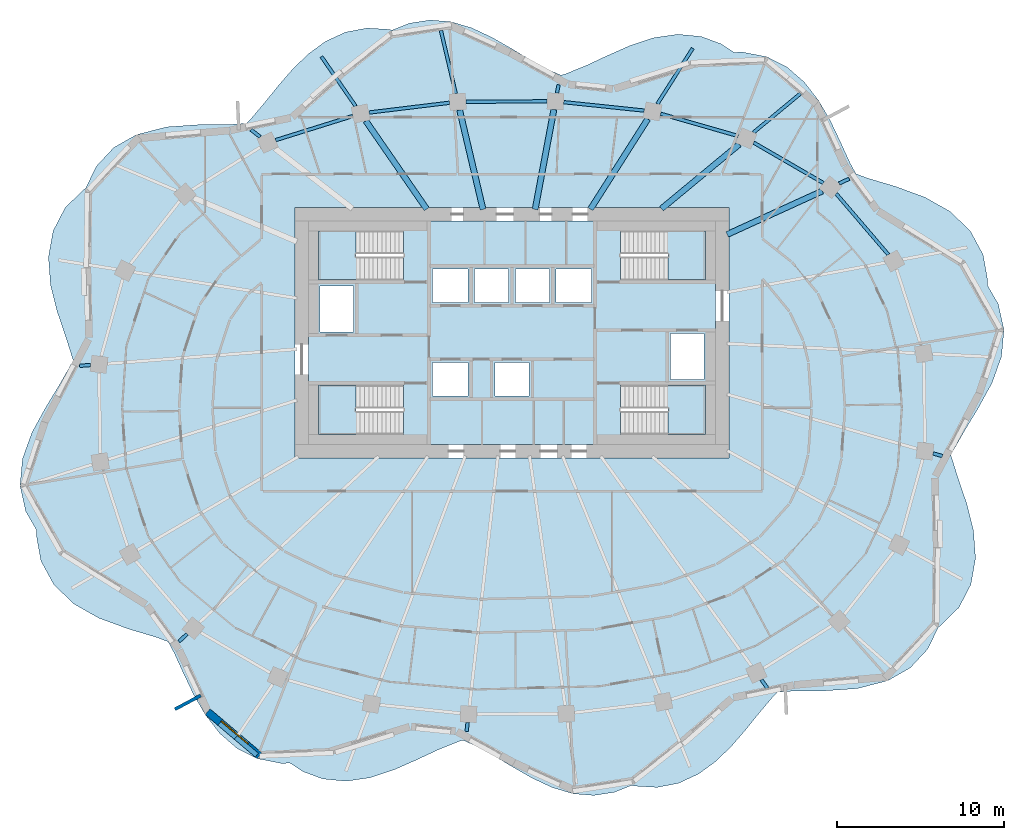
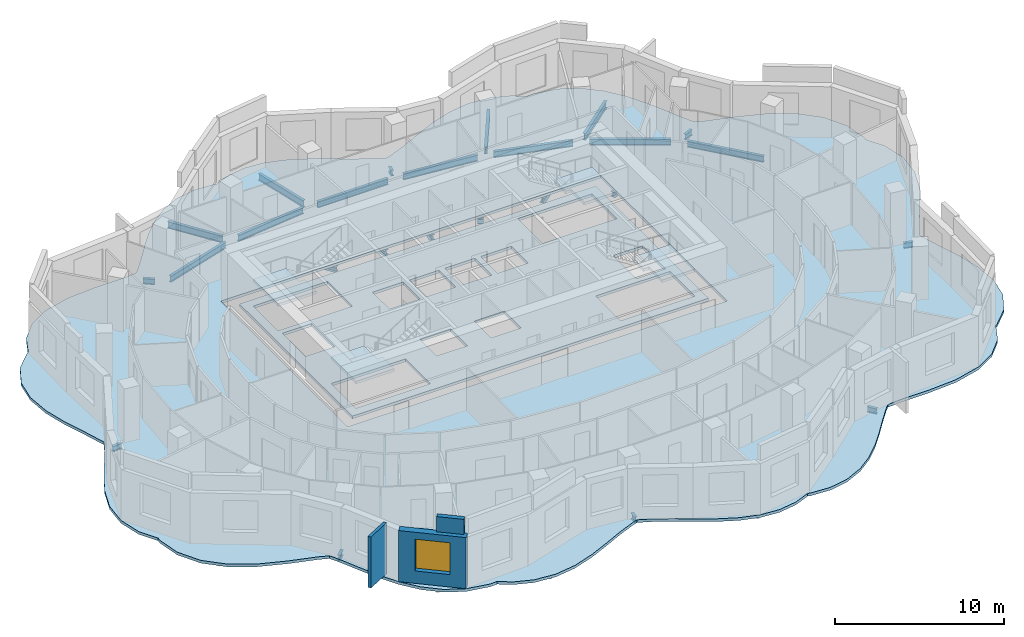
# One storey, part 2 of 12: 25 beams, 6 slabs, 3 walls, 1 window, 1 opening, 4 elements without a shape of their own.
"""IFC4 building model written with IfcOpenShell, lengths in metres."""

import ifcopenshell
import ifcopenshell.guid

model = None  # the IFC model being written
_history = None  # IfcOwnerHistory: only IFC2X3 demands one
_inside = {}  # id of a spatial element -> (the spatial element, [elements in it])
_under = {}  # id of a project, library or spatial element -> (it, [spatial elements below it])
_declared = {}  # id of a project -> (the project, [libraries it declares])
_typed = {}  # id of a type object -> (the type object, [elements of that type])
_made_of = {}  # id of a material, layer set ... -> (it, [elements and type objects made of it])


def new_model(schema):
    """Start an empty IFC model of exactly this schema.

    Asked for "IFC4X3", IfcOpenShell would pick the latest addendum, in which some entities
    have other attributes; the version numbers below select the first issue.
    IFC2X3 requires an IfcOwnerHistory on every rooted entity: one is made here for all.
    """
    global model, _history
    if schema == "IFC4X3":
        model = ifcopenshell.file(schema_version=(4, 3, 0, 0))
    else:
        model = ifcopenshell.file(schema=schema)
    _inside.clear()
    _under.clear()
    _declared.clear()
    _typed.clear()
    _made_of.clear()
    _history = None
    if model.schema == "IFC2X3":
        org = make("IfcOrganization", Name="unknown")
        user = make(
            "IfcPersonAndOrganization",
            ThePerson=make("IfcPerson", FamilyName="unknown"),
            TheOrganization=org,
        )
        app = make(
            "IfcApplication",
            ApplicationDeveloper=org,
            Version="unknown",
            ApplicationFullName="unknown",
            ApplicationIdentifier="unknown",
        )
        _history = make(
            "IfcOwnerHistory",
            OwningUser=user,
            OwningApplication=app,
            ChangeAction="ADDED",
            CreationDate=0,
        )
    return model


def make(cls, **values):
    """One entity of the class cls with the attributes given. An attribute that is None is left unset."""
    return model.create_entity(
        cls, **{name: value for name, value in values.items() if value is not None}
    )


def rooted(cls, **values):
    """An entity with a GlobalId (a new one), such as an element, a storey or a relation."""
    return make(cls, GlobalId=ifcopenshell.guid.new(), OwnerHistory=_history, **values)


def si_unit(unit_type, name, prefix=None):
    """IfcSIUnit, for example si_unit("LENGTHUNIT", "METRE", prefix="MILLI")."""
    return make("IfcSIUnit", UnitType=unit_type, Prefix=prefix, Name=name)


def assignment(units):
    """IfcUnitAssignment: the units of a project."""
    return None if units is None else make("IfcUnitAssignment", Units=units)


def point(xyz):
    """IfcCartesianPoint."""
    return None if xyz is None else make("IfcCartesianPoint", Coordinates=xyz)


def direction(xyz):
    """IfcDirection."""
    return None if xyz is None else make("IfcDirection", DirectionRatios=xyz)


def frame(location, z_axis=None, x_axis=None):
    """IfcAxis2Placement3D, a coordinate frame: its origin and axes. An axis left out is left unset."""
    return make(
        "IfcAxis2Placement3D",
        Location=point(location),
        Axis=direction(z_axis),
        RefDirection=direction(x_axis),
    )


def frame_2d(location, x_axis=None):
    """IfcAxis2Placement2D, a coordinate frame in the plane: its origin and x axis."""
    return make(
        "IfcAxis2Placement2D", Location=point(location), RefDirection=direction(x_axis)
    )


def origin():
    """The frame at (0, 0, 0) with its axes left unset."""
    return frame((0.0, 0.0, 0.0))


def origin_2d():
    """The frame at (0, 0) in the plane with its x axis left unset."""
    return frame_2d((0.0, 0.0))


def place(relative_to, where):
    """IfcLocalPlacement: puts the frame where relative to a parent placement (None: the world)."""
    return make(
        "IfcLocalPlacement", PlacementRelTo=relative_to, RelativePlacement=where
    )


def context(
    kind, dimensions, precision=None, world=None, true_north=None, identifier=None
):
    """IfcGeometricRepresentationContext, for example the 3D "Model" context."""
    return make(
        "IfcGeometricRepresentationContext",
        ContextIdentifier=identifier,
        ContextType=kind,
        CoordinateSpaceDimension=dimensions,
        Precision=precision,
        WorldCoordinateSystem=world,
        TrueNorth=true_north,
    )


def subcontext(parent, identifier, kind, view, scale=None):
    """IfcGeometricRepresentationSubContext, for example "Body" below "Model"."""
    return make(
        "IfcGeometricRepresentationSubContext",
        ContextIdentifier=identifier,
        ContextType=kind,
        ParentContext=parent,
        TargetScale=scale,
        TargetView=view,
    )


def project(units=None, contexts=None):
    """IfcProject with its units and contexts."""
    return rooted(
        "IfcProject",
        Name="project",
        RepresentationContexts=contexts,
        UnitsInContext=assignment(units),
    )


def spatial(cls, under=None, at=None, **own):
    """A site, building, storey or space (cls), placed at a placement, below another one or the project."""
    s = rooted(cls, ObjectPlacement=at, **own)
    if under is not None:
        _under.setdefault(under.id(), (under, []))[1].append(s)
    return s


def polyline(points):
    """IfcPolyline through the points."""
    return make("IfcPolyline", Points=[point(p) for p in points])


def profile(cls, at=None, kind="AREA", **sizes):
    """A parametric profile (cls). Its sizes go by their IFC names, for example OverallWidth=200.0."""
    return make(cls, ProfileType=kind, Position=at, **sizes)


def rectangle(**sizes):
    """IfcRectangleProfileDef."""
    return profile("IfcRectangleProfileDef", **sizes)


def i_section(**sizes):
    """IfcIShapeProfileDef."""
    return profile("IfcIShapeProfileDef", **sizes)


def outline(outer, holes=None, kind="AREA"):
    """IfcArbitraryClosedProfileDef: a profile drawn as a closed curve; with holes, ...WithVoids."""
    if holes is None:
        return make("IfcArbitraryClosedProfileDef", ProfileType=kind, OuterCurve=outer)
    return make(
        "IfcArbitraryProfileDefWithVoids",
        ProfileType=kind,
        OuterCurve=outer,
        InnerCurves=holes,
    )


def extrude(swept, where, along, depth):
    """IfcExtrudedAreaSolid: the profile swept, set in the frame where, extruded along a direction by depth."""
    return make(
        "IfcExtrudedAreaSolid",
        SweptArea=swept,
        Position=where,
        ExtrudedDirection=direction(along),
        Depth=depth,
    )


def shape(context_of_items, identifier, shape_type, items):
    """IfcShapeRepresentation: the items that make up one representation, for example the "Body"."""
    return make(
        "IfcShapeRepresentation",
        ContextOfItems=context_of_items,
        RepresentationIdentifier=identifier,
        RepresentationType=shape_type,
        Items=items,
    )


def material(Name=None, Category=None):
    """IfcMaterial."""
    return make("IfcMaterial", Name=Name, Category=Category)


def layer(
    of_material, thickness, ventilated=None, Name=None, Category=None, Priority=None
):
    """IfcMaterialLayer: one layer of a wall or slab, of a material (None: an air gap)."""
    return make(
        "IfcMaterialLayer",
        Material=of_material,
        LayerThickness=thickness,
        IsVentilated=ventilated,
        Name=Name,
        Category=Category,
        Priority=Priority,
    )


def layer_set(layers, Name=None):
    """IfcMaterialLayerSet."""
    return make("IfcMaterialLayerSet", MaterialLayers=layers, LayerSetName=Name)


def material_profile(
    of_material, cross_section, Name=None, Category=None, Priority=None
):
    """IfcMaterialProfile: a cross section and its material."""
    return make(
        "IfcMaterialProfile",
        Name=Name,
        Material=of_material,
        Profile=cross_section,
        Priority=Priority,
        Category=Category,
    )


def profile_set(profiles, Name=None, composite=None):
    """IfcMaterialProfileSet."""
    return make(
        "IfcMaterialProfileSet",
        Name=Name,
        MaterialProfiles=profiles,
        CompositeProfile=composite,
    )


def made_of(thing, what):
    """Note that an element or type object is made of a material, layer set ...; save() writes the relation."""
    if what is not None:
        _made_of.setdefault(what.id(), (what, []))[1].append(thing)
    return thing


def type_object(cls, material=None, **own):
    """A type object (cls), such as IfcWallType, which elements share."""
    return made_of(rooted(cls, **own), material)


def element(
    cls,
    number,
    at=None,
    inside=None,
    cuts=None,
    type_object=None,
    material=None,
    context=None,
    identifier="Body",
    shape_type=None,
    held_by="IfcProductDefinitionShape",
    body=None,
    shapes=None,
    **own,
):
    """One element of the class cls, such as IfcWall. Its Tag is "e" and its number.

    at: its placement. inside: the storey or other place that contains it. cuts: it is an
    opening in that element (IfcRelVoidsElement). A single representation is given by context,
    identifier, shape_type and body (its items); several are given by shapes. held_by: the class
    of the entity that holds the representations. save() writes the other relations.
    """
    e = rooted(cls, Tag="e%d" % number, ObjectPlacement=at, **own)
    if body is not None:
        shapes = [shape(context, identifier, shape_type, body)]
    if shapes is not None:
        e.Representation = make(held_by, Representations=shapes)
    if inside is not None:
        _inside.setdefault(inside.id(), (inside, []))[1].append(e)
    if cuts is not None:
        rooted(
            "IfcRelVoidsElement", RelatingBuildingElement=cuts, RelatedOpeningElement=e
        )
    if type_object is not None:
        _typed.setdefault(type_object.id(), (type_object, []))[1].append(e)
    return made_of(e, material)


def fill(opening, filler):
    """IfcRelFillsElement: the door or window that sits in an opening."""
    return rooted(
        "IfcRelFillsElement",
        RelatingOpeningElement=opening,
        RelatedBuildingElement=filler,
    )


def aggregate(whole, parts):
    """IfcRelAggregates: a whole, such as a stair, and the parts it consists of."""
    return rooted("IfcRelAggregates", RelatingObject=whole, RelatedObjects=parts)


def save(model, path):
    """Write the relations noted so far, then the file.

    IfcRelAggregates (storeys below a building ...), IfcRelContainedInSpatialStructure (elements
    in a storey), IfcRelDefinesByType, IfcRelAssociatesMaterial and IfcRelDeclares: one each for
    every whole, place, type object, material and project.
    """
    for whole, parts in _under.values():
        aggregate(whole, parts)
    for where, things in _inside.values():
        rooted(
            "IfcRelContainedInSpatialStructure",
            RelatedElements=things,
            RelatingStructure=where,
        )
    for kind, things in _typed.values():
        rooted("IfcRelDefinesByType", RelatedObjects=things, RelatingType=kind)
    for what, things in _made_of.values():
        rooted("IfcRelAssociatesMaterial", RelatedObjects=things, RelatingMaterial=what)
    for by, libraries in _declared.values():
        rooted("IfcRelDeclares", RelatingContext=by, RelatedDefinitions=libraries)
    model.write(path)


model = new_model("IFC4")

# Units and contexts
model_context = context("Model", 3, precision=1e-05, world=origin(), true_north=direction((0.0, 1.0)))
body_context = subcontext(model_context, "Body", "Model", "MODEL_VIEW")
ifc_project = project(units=[si_unit("LENGTHUNIT", "METRE"), si_unit("AREAUNIT", "SQUARE_METRE"), si_unit("VOLUMEUNIT", "CUBIC_METRE"), si_unit("PLANEANGLEUNIT", "RADIAN"), si_unit("MASSUNIT", "GRAM", prefix="KILO")], contexts=[model_context])

# Site, building, storey
site_placement = place(None, origin())
site = spatial("IfcSite", under=ifc_project, at=site_placement, CompositionType="ELEMENT")
building_placement = place(site_placement, origin())
building = spatial("IfcBuilding", under=site, at=building_placement, Name="Rubra Terraces Tower", CompositionType="ELEMENT")
storey_placement = place(building_placement, frame((0.0, 0.0, 201.300048828125)))
storey = spatial("IfcBuildingStorey", under=building, at=storey_placement, Name="L49", CompositionType="ELEMENT", Elevation=201.300048828125)

# Beams
ifc_material_1 = material(Name="Steel Q355B", Category="steel")
ifc_material_profile_1 = material_profile(ifc_material_1, i_section(OverallWidth=0.198974609375, OverallDepth=0.49609375, WebThickness=0.009033203125, FlangeThickness=0.013916015625, at=origin_2d()), Name="HN 496x199x9x14")
ifc_profile_set_1 = profile_set([ifc_material_profile_1], Name="Steel Q355B")
beam_type_1 = type_object("IfcBeamType", Name="CANTILEVER BEAM HN 496x199x9x14", PredefinedType="BEAM", material=ifc_profile_set_1)
beam_1_placement = place(storey_placement, frame((14.47509765625, 16.4951171875, -0.447998046875), z_axis=(0.76992389312, 0.638135721303, 0.0), x_axis=(-0.638135721303, 0.76992389312, 0.0)))
element("IfcBeam", 1, at=beam_1_placement, inside=storey, type_object=beam_type_1, Name="beam-L49-cant-04", PredefinedType="BEAM", context=body_context, shape_type="SweptSolid", body=[
    extrude(i_section(OverallWidth=0.198974609375, OverallDepth=0.49609375, WebThickness=0.009033203125, FlangeThickness=0.013916015625, at=origin_2d()), origin(), (0.0, 0.0, 1.0), 3.6494140625),
])
beam_2_placement = place(storey_placement, frame((8.7099609375, 18.201904296875, -0.447998046875), z_axis=(0.536427545347, 0.843946377795, 0.0), x_axis=(-0.843946377795, 0.536427545347, 0.0)))
element("IfcBeam", 2, at=beam_2_placement, inside=storey, type_object=beam_type_1, Name="beam-L49-cant-05", PredefinedType="BEAM", context=body_context, shape_type="SweptSolid", body=[
    extrude(i_section(OverallWidth=0.198974609375, OverallDepth=0.49609375, WebThickness=0.009033203125, FlangeThickness=0.013916015625, at=origin_2d()), origin(), (0.0, 0.0, 1.0), 3.950439453125),
])
beam_3_placement = place(storey_placement, frame((-3.3701171875, 18.823974609375, -0.447998046875), z_axis=(-0.228972734486, 0.973432836338, 0.0), x_axis=(-0.973432836338, -0.228972734486, 0.0)))
element("IfcBeam", 3, at=beam_3_placement, inside=storey, type_object=beam_type_1, Name="beam-L49-cant-07", PredefinedType="BEAM", context=body_context, shape_type="SweptSolid", body=[
    extrude(i_section(OverallWidth=0.198974609375, OverallDepth=0.49609375, WebThickness=0.009033203125, FlangeThickness=0.013916015625, at=origin_2d()), origin(), (0.0, 0.0, 1.0), 3.882080078125),
])
beam_4_placement = place(storey_placement, frame((-9.3701171875, 18.070068359375, -0.447998046875), z_axis=(-0.56822135663, 0.822875743882, 0.0), x_axis=(-0.822875743882, -0.56822135663, 0.0)))
element("IfcBeam", 4, at=beam_4_placement, inside=storey, type_object=beam_type_1, Name="beam-L49-cant-08", PredefinedType="BEAM", context=body_context, shape_type="SweptSolid", body=[
    extrude(i_section(OverallWidth=0.198974609375, OverallDepth=0.49609375, WebThickness=0.009033203125, FlangeThickness=0.013916015625, at=origin_2d()), origin(), (0.0, 0.0, 1.0), 3.59716796875),
])
ifc_material_profile_2 = material_profile(ifc_material_1, i_section(OverallWidth=0.199951171875, OverallDepth=0.39990234375, WebThickness=0.008056640625, FlangeThickness=0.012939453125, at=origin_2d()), Name="HN 400x200x8x13")
ifc_profile_set_2 = profile_set([ifc_material_profile_2], Name="Steel Q355B")
beam_type_2 = type_object("IfcBeamType", Name="CANTILEVER STUB HN 400x200x8x13", PredefinedType="BEAM", material=ifc_profile_set_2)
beam_5_placement = place(storey_placement, frame((19.596923828125, 13.43896484375, -0.400146484375), z_axis=(0.909470504051, 0.415768447891, 0.0), x_axis=(-0.415768447891, 0.909470504051, 0.0)))
element("IfcBeam", 5, at=beam_5_placement, inside=storey, type_object=beam_type_2, Name="beam-L49-cant-03", PredefinedType="BEAM", context=body_context, shape_type="SweptSolid", body=[
    extrude(i_section(OverallWidth=0.199951171875, OverallDepth=0.39990234375, WebThickness=0.008056640625, FlangeThickness=0.012939453125, at=origin_2d()), origin(), (0.0, 0.0, 1.0), 0.6640625),
])
beam_6_placement = place(storey_placement, frame((2.695068359375, 18.85400390625, -0.400146484375), z_axis=(0.185434461411, 0.98265663409, 0.0), x_axis=(-0.98265663409, 0.185434461411, 0.0)))
element("IfcBeam", 6, at=beam_6_placement, inside=storey, type_object=beam_type_2, Name="beam-L49-cant-06", PredefinedType="BEAM", context=body_context, shape_type="SweptSolid", body=[
    extrude(i_section(OverallWidth=0.199951171875, OverallDepth=0.39990234375, WebThickness=0.008056640625, FlangeThickness=0.012939453125, at=origin_2d()), origin(), (0.0, 0.0, 1.0), 0.501708984375),
])
beam_7_placement = place(storey_placement, frame((-15.087890625, 16.22705078125, -0.400146484375), z_axis=(-0.78939001545, 0.613892012904, 0.0), x_axis=(-0.613892012904, -0.78939001545, 0.0)))
element("IfcBeam", 7, at=beam_7_placement, inside=storey, type_object=beam_type_2, Name="beam-L49-cant-09", PredefinedType="BEAM", context=body_context, shape_type="SweptSolid", body=[
    extrude(i_section(OverallWidth=0.199951171875, OverallDepth=0.39990234375, WebThickness=0.008056640625, FlangeThickness=0.012939453125, at=origin_2d()), origin(), (0.0, 0.0, 1.0), 0.695556640625),
])
beam_8_placement = place(storey_placement, frame((-25.251953125, 2.56005859375, -0.400146484375), z_axis=(-0.997039019629, -0.076897290829, 0.0), x_axis=(0.076897290829, -0.997039019629, 0.0)))
element("IfcBeam", 8, at=beam_8_placement, inside=storey, type_object=beam_type_2, Name="beam-L49-cant-12", PredefinedType="BEAM", context=body_context, shape_type="SweptSolid", body=[
    extrude(i_section(OverallWidth=0.199951171875, OverallDepth=0.39990234375, WebThickness=0.008056640625, FlangeThickness=0.012939453125, at=origin_2d()), origin(), (0.0, 0.0, 1.0), 0.65087890625),
])
beam_9_placement = place(storey_placement, frame((-19.4619140625, -13.552001953125, -0.400146484375), z_axis=(-0.733015476534, -0.680211960466, 0.0), x_axis=(0.680211960466, -0.733015476534, 0.0)))
element("IfcBeam", 9, at=beam_9_placement, inside=storey, type_object=beam_type_2, Name="beam-L49-cant-15", PredefinedType="BEAM", context=body_context, shape_type="SweptSolid", body=[
    extrude(i_section(OverallWidth=0.199951171875, OverallDepth=0.39990234375, WebThickness=0.008056640625, FlangeThickness=0.012939453125, at=origin_2d()), origin(), (0.0, 0.0, 1.0), 0.665771484375),
])
beam_10_placement = place(storey_placement, frame((-2.658935546875, -18.85595703125, -0.400146484375), z_axis=(-0.113572215797, -0.993529743792, 0.0), x_axis=(0.993529743792, -0.113572215797, 0.0)))
element("IfcBeam", 10, at=beam_10_placement, inside=storey, type_object=beam_type_2, Name="beam-L49-cant-18", PredefinedType="BEAM", context=body_context, shape_type="SweptSolid", body=[
    extrude(i_section(OverallWidth=0.199951171875, OverallDepth=0.39990234375, WebThickness=0.008056640625, FlangeThickness=0.012939453125, at=origin_2d()), origin(), (0.0, 0.0, 1.0), 0.537353515625),
])
beam_11_placement = place(storey_placement, frame((14.93994140625, -16.294921875, -0.400146484375), z_axis=(0.583740356703, -0.81194038941, 0.0), x_axis=(0.81194038941, 0.583740356703, 0.0)))
element("IfcBeam", 11, at=beam_11_placement, inside=storey, type_object=beam_type_2, Name="beam-L49-cant-21", PredefinedType="BEAM", context=body_context, shape_type="SweptSolid", body=[
    extrude(i_section(OverallWidth=0.199951171875, OverallDepth=0.39990234375, WebThickness=0.008056640625, FlangeThickness=0.012939453125, at=origin_2d()), origin(), (0.0, 0.0, 1.0), 0.626953125),
])
beam_12_placement = place(storey_placement, frame((25.22900390625, -2.738037109375, -0.400146484375), z_axis=(0.961157373545, -0.276000911737, 0.0), x_axis=(0.276000911737, 0.961157373545, 0.0)))
element("IfcBeam", 12, at=beam_12_placement, inside=storey, type_object=beam_type_2, Name="beam-L49-cant-24", PredefinedType="BEAM", context=body_context, shape_type="SweptSolid", body=[
    extrude(i_section(OverallWidth=0.199951171875, OverallDepth=0.39990234375, WebThickness=0.008056640625, FlangeThickness=0.012939453125, at=origin_2d()), origin(), (0.0, 0.0, 1.0), 0.579345703125),
])
ifc_material_profile_3 = material_profile(ifc_material_1, i_section(OverallWidth=0.35009765625, OverallDepth=0.35009765625, WebThickness=0.011962890625, FlangeThickness=0.01904296875, at=origin_2d()), Name="HW 350x350x12x19")
ifc_profile_set_3 = profile_set([ifc_material_profile_3], Name="Steel Q355B")
beam_type_3 = type_object("IfcBeamType", Name="FLOOR BEAM HW 350x350x12x19", PredefinedType="BEAM", material=ifc_profile_set_3)
beam_13_placement = place(storey_placement, frame((18.5869140625, 12.97900390625, -0.375), z_axis=(-0.909756526533, -0.415142219523, 0.0), x_axis=(0.415142219523, -0.909756526533, 0.0)))
element("IfcBeam", 13, at=beam_13_placement, inside=storey, type_object=beam_type_3, Name="beam-L49-floor-03", PredefinedType="BEAM", context=body_context, shape_type="SweptSolid", body=[
    extrude(i_section(OverallWidth=0.35009765625, OverallDepth=0.35009765625, WebThickness=0.011962890625, FlangeThickness=0.01904296875, at=origin_2d()), origin(), (0.0, 0.0, 1.0), 6.2607421875),
])
beam_14_placement = place(storey_placement, frame((13.60888671875, 15.777099609375, -0.375), z_axis=(-0.769987518392, -0.638058948312, 0.0), x_axis=(0.638058948312, -0.769987518392, 0.0)))
element("IfcBeam", 14, at=beam_14_placement, inside=storey, type_object=beam_type_3, Name="beam-L49-floor-04", PredefinedType="BEAM", context=body_context, shape_type="SweptSolid", body=[
    extrude(i_section(OverallWidth=0.35009765625, OverallDepth=0.35009765625, WebThickness=0.011962890625, FlangeThickness=0.01904296875, at=origin_2d()), origin(), (0.0, 0.0, 1.0), 6.040283203125),
])
beam_15_placement = place(storey_placement, frame((8.134033203125, 17.2958984375, -0.375), z_axis=(-0.536509861106, -0.843894050776, 0.0), x_axis=(0.843894050776, -0.536509861106, 0.0)))
element("IfcBeam", 15, at=beam_15_placement, inside=storey, type_object=beam_type_3, Name="beam-L49-floor-05", PredefinedType="BEAM", context=body_context, shape_type="SweptSolid", body=[
    extrude(i_section(OverallWidth=0.35009765625, OverallDepth=0.35009765625, WebThickness=0.011962890625, FlangeThickness=0.01904296875, at=origin_2d()), origin(), (0.0, 0.0, 1.0), 6.395263671875),
])
beam_16_placement = place(storey_placement, frame((2.509033203125, 17.862060546875, -0.375), z_axis=(-0.184574398021, -0.982818544593, 0.0), x_axis=(0.982818544593, -0.184574398021, 0.0)))
element("IfcBeam", 16, at=beam_16_placement, inside=storey, type_object=beam_type_3, Name="beam-L49-floor-06", PredefinedType="BEAM", context=body_context, shape_type="SweptSolid", body=[
    extrude(i_section(OverallWidth=0.35009765625, OverallDepth=0.35009765625, WebThickness=0.011962890625, FlangeThickness=0.01904296875, at=origin_2d()), origin(), (0.0, 0.0, 1.0), 6.08447265625),
])
beam_17_placement = place(storey_placement, frame((-3.137939453125, 17.8359375, -0.375), z_axis=(0.229070485592, -0.973409837957, 0.0), x_axis=(0.973409837957, 0.229070485592, 0.0)))
element("IfcBeam", 17, at=beam_17_placement, inside=storey, type_object=beam_type_3, Name="beam-L49-floor-07", PredefinedType="BEAM", context=body_context, shape_type="SweptSolid", body=[
    extrude(i_section(OverallWidth=0.35009765625, OverallDepth=0.35009765625, WebThickness=0.011962890625, FlangeThickness=0.01904296875, at=origin_2d()), origin(), (0.0, 0.0, 1.0), 6.115478515625),
])
beam_18_placement = place(storey_placement, frame((-8.756103515625, 17.179931640625, -0.375), z_axis=(0.568186422001, -0.822899866238, 0.0), x_axis=(0.822899866238, 0.568186422001, 0.0)))
element("IfcBeam", 18, at=beam_18_placement, inside=storey, type_object=beam_type_3, Name="beam-L49-floor-08", PredefinedType="BEAM", context=body_context, shape_type="SweptSolid", body=[
    extrude(i_section(OverallWidth=0.35009765625, OverallDepth=0.35009765625, WebThickness=0.011962890625, FlangeThickness=0.01904296875, at=origin_2d()), origin(), (0.0, 0.0, 1.0), 6.415283203125),
])
ifc_material_profile_4 = material_profile(ifc_material_1, i_section(OverallWidth=0.198974609375, OverallDepth=0.446044921875, WebThickness=0.008056640625, FlangeThickness=0.011962890625, at=origin_2d()), Name="HN 446x199x8x12")
ifc_profile_set_4 = profile_set([ifc_material_profile_4], Name="Steel Q355B")
beam_type_4 = type_object("IfcBeamType", Name="SPANDREL BEAM HN 446x199x8x12", PredefinedType="SPANDREL", material=ifc_profile_set_4)
beam_19_placement = place(storey_placement, frame((22.547119140625, 9.174072265625, -0.423095703125), z_axis=(-0.650372836218, 0.759615148552, 0.0), x_axis=(-0.759615148552, -0.650372836218, 0.0)))
element("IfcBeam", 19, at=beam_19_placement, inside=storey, type_object=beam_type_4, Name="beam-L49-spandrel-02", PredefinedType="SPANDREL", context=body_context, shape_type="SweptSolid", body=[
    extrude(i_section(OverallWidth=0.198974609375, OverallDepth=0.446044921875, WebThickness=0.008056640625, FlangeThickness=0.011962890625, at=origin_2d()), origin(), (0.0, 0.0, 1.0), 4.804931640625),
])
beam_20_placement = place(storey_placement, frame((18.653076171875, 13.462890625, -0.423095703125), z_axis=(-0.865153680787, 0.501506838059, 0.0), x_axis=(-0.501506838059, -0.865153680787, 0.0)))
element("IfcBeam", 20, at=beam_20_placement, inside=storey, type_object=beam_type_4, Name="beam-L49-spandrel-03", PredefinedType="SPANDREL", context=body_context, shape_type="SweptSolid", body=[
    extrude(i_section(OverallWidth=0.198974609375, OverallDepth=0.446044921875, WebThickness=0.008056640625, FlangeThickness=0.011962890625, at=origin_2d()), origin(), (0.0, 0.0, 1.0), 4.82568359375),
])
beam_21_placement = place(storey_placement, frame((13.55810546875, 16.27490234375, -0.423095703125), z_axis=(-0.961171164323, 0.275952881621, 0.0), x_axis=(-0.275952881621, -0.961171164323, 0.0)))
element("IfcBeam", 21, at=beam_21_placement, inside=storey, type_object=beam_type_4, Name="beam-L49-spandrel-04", PredefinedType="SPANDREL", context=body_context, shape_type="SweptSolid", body=[
    extrude(i_section(OverallWidth=0.198974609375, OverallDepth=0.446044921875, WebThickness=0.008056640625, FlangeThickness=0.011962890625, at=origin_2d()), origin(), (0.0, 0.0, 1.0), 4.842041015625),
])
beam_22_placement = place(storey_placement, frame((7.923095703125, 17.801025390625, -0.423095703125), z_axis=(-0.994565426955, 0.104113454971, 0.0), x_axis=(-0.104113454971, -0.994565426955, 0.0)))
element("IfcBeam", 22, at=beam_22_placement, inside=storey, type_object=beam_type_4, Name="beam-L49-spandrel-05", PredefinedType="SPANDREL", context=body_context, shape_type="SweptSolid", body=[
    extrude(i_section(OverallWidth=0.198974609375, OverallDepth=0.446044921875, WebThickness=0.008056640625, FlangeThickness=0.011962890625, at=origin_2d()), origin(), (0.0, 0.0, 1.0), 4.849365234375),
])
beam_23_placement = place(storey_placement, frame((2.10107421875, 18.35595703125, -0.423095703125), z_axis=(-0.999987852299, -0.004929021704, 0.0), x_axis=(0.004929021704, -0.999987852299, 0.0)))
element("IfcBeam", 23, at=beam_23_placement, inside=storey, type_object=beam_type_4, Name="beam-L49-spandrel-06", PredefinedType="SPANDREL", context=body_context, shape_type="SweptSolid", body=[
    extrude(i_section(OverallWidth=0.198974609375, OverallDepth=0.446044921875, WebThickness=0.008056640625, FlangeThickness=0.011962890625, at=origin_2d()), origin(), (0.0, 0.0, 1.0), 4.85400390625),
])
beam_24_placement = place(storey_placement, frame((-3.7509765625, 18.27001953125, -0.423095703125), z_axis=(-0.992698018573, -0.120626049929, 0.0), x_axis=(0.120626049929, -0.992698018573, 0.0)))
element("IfcBeam", 24, at=beam_24_placement, inside=storey, type_object=beam_type_4, Name="beam-L49-spandrel-07", PredefinedType="SPANDREL", context=body_context, shape_type="SweptSolid", body=[
    extrude(i_section(OverallWidth=0.198974609375, OverallDepth=0.446044921875, WebThickness=0.008056640625, FlangeThickness=0.011962890625, at=origin_2d()), origin(), (0.0, 0.0, 1.0), 4.849365234375),
])
beam_25_placement = place(storey_placement, frame((-9.5419921875, 17.47509765625, -0.423095703125), z_axis=(-0.954462027342, -0.298332429282, 0.0), x_axis=(0.298332429282, -0.954462027342, 0.0)))
element("IfcBeam", 25, at=beam_25_placement, inside=storey, type_object=beam_type_4, Name="beam-L49-spandrel-08", PredefinedType="SPANDREL", context=body_context, shape_type="SweptSolid", body=[
    extrude(i_section(OverallWidth=0.198974609375, OverallDepth=0.446044921875, WebThickness=0.008056640625, FlangeThickness=0.011962890625, at=origin_2d()), origin(), (0.0, 0.0, 1.0), 4.840576171875),
])

# Slab
ifc_material_2 = material(Name="Concrete C40", Category="concrete")
ifc_layer_1 = layer(ifc_material_2, 0.199951171875)
ifc_layer_set_1 = layer_set([ifc_layer_1], Name="Concrete C40")
slab_type_1 = type_object("IfcSlabType", Name="Core floor slab 200 concrete", PredefinedType="FLOOR", material=ifc_layer_set_1)
slab_1_placement = place(storey_placement, frame((0.0, 0.0, -0.199951171875)))
element("IfcSlab", 26, at=slab_1_placement, inside=storey, type_object=slab_type_1, Name="CORE FLOOR SLAB L49", PredefinedType="FLOOR", context=body_context, shape_type="SweptSolid", body=[
    extrude(outline(polyline([(-12.199951171875, -2.199951171875), (-12.199951171875, 11.199951171875), (12.199951171875, 11.199951171875), (12.199951171875, -2.199951171875), (-12.199951171875, -2.199951171875)]), holes=[polyline([(11.597900390625, 1.347900390625), (6.501953125, 1.347900390625), (6.501953125, -1.597900390625), (11.597900390625, -1.597900390625), (11.597900390625, 1.347900390625)]), polyline([(11.597900390625, 7.652099609375), (11.597900390625, 10.597900390625), (6.501953125, 10.597900390625), (6.501953125, 7.652099609375), (11.597900390625, 7.652099609375)]), polyline([(9.5, 1.699951171875), (11.5, 1.699951171875), (11.5, 4.449951171875), (9.5, 4.449951171875), (9.5, 1.699951171875)]), polyline([(4.75, 6.300048828125), (4.75, 8.300048828125), (2.64990234375, 8.300048828125), (2.64990234375, 6.300048828125), (4.75, 6.300048828125)]), polyline([(2.25, 8.300048828125), (0.199951171875, 8.300048828125), (0.199951171875, 6.300048828125), (2.25, 6.300048828125), (2.25, 8.300048828125)]), polyline([(1.02490234375, 0.699951171875), (1.02490234375, 2.699951171875), (-1.02490234375, 2.699951171875), (-1.02490234375, 0.699951171875), (1.02490234375, 0.699951171875)]), polyline([(-0.199951171875, 6.300048828125), (-0.199951171875, 8.300048828125), (-2.25, 8.300048828125), (-2.25, 6.300048828125), (-0.199951171875, 6.300048828125)]), polyline([(-4.75, 8.300048828125), (-4.75, 6.300048828125), (-2.64990234375, 6.300048828125), (-2.64990234375, 8.300048828125), (-4.75, 8.300048828125)]), polyline([(-2.64990234375, 0.699951171875), (-2.64990234375, 2.699951171875), (-4.75, 2.699951171875), (-4.75, 0.699951171875), (-2.64990234375, 0.699951171875)]), polyline([(-11.597900390625, -1.597900390625), (-6.501953125, -1.597900390625), (-6.501953125, 1.347900390625), (-11.597900390625, 1.347900390625), (-11.597900390625, -1.597900390625)]), polyline([(-11.597900390625, 10.597900390625), (-11.597900390625, 7.652099609375), (-6.501953125, 7.652099609375), (-6.501953125, 10.597900390625), (-11.597900390625, 10.597900390625)]), polyline([(-9.5, 4.550048828125), (-9.5, 7.300048828125), (-11.5, 7.300048828125), (-11.5, 4.550048828125), (-9.5, 4.550048828125)])]), origin(), (0.0, 0.0, 1.0), 0.199951171875),
])

# Stair, slab
stair_type = type_object("IfcStairType", Name="Core stair 1400", PredefinedType="HALF_TURN_STAIR", material=ifc_material_2)
stair_1_placement = place(storey_placement, origin())
stair_1 = element("IfcStair", 27, at=stair_1_placement, inside=storey, type_object=stair_type, Name="L49 Exit stair S1", PredefinedType="HALF_TURN_STAIR")
ifc_layer_2 = layer(ifc_material_2, 0.199951171875)
ifc_layer_set_2 = layer_set([ifc_layer_2], Name="Concrete C40")
slab_type_2 = type_object("IfcSlabType", Name="Core stair landing 200", PredefinedType="LANDING", material=ifc_layer_set_2)
slab_2_placement = place(storey_placement, frame((0.0, 0.0, 1.75)))
slab_2 = element("IfcSlab", 28, at=slab_2_placement, type_object=slab_type_2, Name="S1 landing 1", PredefinedType="LANDING", context=body_context, shape_type="SweptSolid", body=[
    extrude(outline(polyline([(-8.97998046875, -0.199951171875), (-8.97998046875, -1.60009765625), (-9.360107421875, -1.60009765625), (-9.3798828125, -1.60009765625), (-11.60009765625, -1.60009765625), (-11.60009765625, 1.35009765625), (-9.3798828125, 1.35009765625), (-9.35791015625, 1.35009765625), (-9.35791015625, -0.050048828125), (-9.360107421875, -0.050048828125), (-9.360107421875, -0.199951171875), (-8.97998046875, -0.199951171875)])), origin(), (0.0, 0.0, 1.0), 0.199951171875),
])
aggregate(stair_1, [slab_2])

stair_2_placement = place(storey_placement, origin())
stair_2 = element("IfcStair", 29, at=stair_2_placement, inside=storey, type_object=stair_type, Name="L49 Exit stair S2", PredefinedType="HALF_TURN_STAIR")
slab_3_placement = place(storey_placement, frame((0.0, 0.0, 1.75)))
slab_3 = element("IfcSlab", 30, at=slab_3_placement, type_object=slab_type_2, Name="S2 landing 1", PredefinedType="LANDING", context=body_context, shape_type="SweptSolid", body=[
    extrude(outline(polyline([(-8.97998046875, 9.050048828125), (-8.97998046875, 7.64990234375), (-9.3798828125, 7.64990234375), (-11.60009765625, 7.64990234375), (-11.60009765625, 10.60009765625), (-9.3798828125, 10.60009765625), (-9.360107421875, 10.60009765625), (-9.35791015625, 10.60009765625), (-9.35791015625, 9.199951171875), (-9.360107421875, 9.199951171875), (-9.360107421875, 9.050048828125), (-8.97998046875, 9.050048828125)])), origin(), (0.0, 0.0, 1.0), 0.199951171875),
])
aggregate(stair_2, [slab_3])

stair_3_placement = place(storey_placement, origin())
stair_3 = element("IfcStair", 31, at=stair_3_placement, inside=storey, type_object=stair_type, Name="L49 Exit stair S3", PredefinedType="HALF_TURN_STAIR")
slab_4_placement = place(storey_placement, frame((0.0, 0.0, 1.75)))
slab_4 = element("IfcSlab", 32, at=slab_4_placement, type_object=slab_type_2, Name="S3 landing 1", PredefinedType="LANDING", context=body_context, shape_type="SweptSolid", body=[
    extrude(outline(polyline([(9.360107421875, 9.050048828125), (9.360107421875, 9.199951171875), (8.97998046875, 9.199951171875), (8.97998046875, 10.60009765625), (9.360107421875, 10.60009765625), (9.3798828125, 10.60009765625), (11.60009765625, 10.60009765625), (11.60009765625, 7.64990234375), (9.3798828125, 7.64990234375), (9.35791015625, 7.64990234375), (9.35791015625, 9.050048828125), (9.360107421875, 9.050048828125)])), origin(), (0.0, 0.0, 1.0), 0.199951171875),
])
aggregate(stair_3, [slab_4])

stair_4_placement = place(storey_placement, origin())
stair_4 = element("IfcStair", 33, at=stair_4_placement, inside=storey, type_object=stair_type, Name="L49 Exit stair S4", PredefinedType="HALF_TURN_STAIR")
slab_5_placement = place(storey_placement, frame((0.0, 0.0, 1.75)))
slab_5 = element("IfcSlab", 34, at=slab_5_placement, type_object=slab_type_2, Name="S4 landing 1", PredefinedType="LANDING", context=body_context, shape_type="SweptSolid", body=[
    extrude(outline(polyline([(9.360107421875, -0.199951171875), (9.360107421875, -0.050048828125), (8.97998046875, -0.050048828125), (8.97998046875, 1.35009765625), (9.360107421875, 1.35009765625), (9.3798828125, 1.35009765625), (11.60009765625, 1.35009765625), (11.60009765625, -1.60009765625), (9.3798828125, -1.60009765625), (9.360107421875, -1.60009765625), (9.35791015625, -1.60009765625), (9.35791015625, -0.199951171875), (9.360107421875, -0.199951171875)])), origin(), (0.0, 0.0, 1.0), 0.199951171875),
])
aggregate(stair_4, [slab_5])

# Slab
ifc_layer_3 = layer(ifc_material_2, 0.199951171875)
ifc_layer_set_3 = layer_set([ifc_layer_3], Name="Concrete C40")
slab_type_3 = type_object("IfcSlabType", Name="FLOOR SLAB 200 COMPOSITE", PredefinedType="FLOOR", material=ifc_layer_set_3)
slab_6_placement = place(storey_placement, frame((0.0, 0.0, -0.199951171875)))
element("IfcSlab", 35, at=slab_6_placement, inside=storey, type_object=slab_type_3, Name="FLOOR SLAB L49", PredefinedType="FLOOR", context=body_context, shape_type="SweptSolid", body=[
    extrude(outline(polyline([(-7.0458984375, -21.68603515625), (-5.712890625, -21.096923828125), (-4.419921875, -20.491943359375), (-3.1650390625, -19.985107421875), (-2.930908203125, -19.922119140625), (-2.111083984375, -20.2900390625), (-1.06494140625, -20.866943359375), (0.0, -21.5), (1.199951171875, -22.18798828125), (2.422119140625, -22.759033203125), (3.6630859375, -23.126953125), (4.908935546875, -23.22900390625), (6.138916015625, -23.037109375), (7.18505859375, -22.618896484375), (7.364990234375, -22.66796875), (8.68798828125, -22.74609375), (9.969970703125, -22.5029296875), (11.180908203125, -21.943115234375), (12.205078125, -21.195068359375), (13.14599609375, -20.282958984375), (14.010986328125, -19.284912109375), (14.845947265625, -18.2490234375), (15.655029296875, -17.29296875), (15.9169921875, -17.033935546875), (16.968017578125, -16.968017578125), (18.7890625, -16.9580078125), (20.68994140625, -16.824951171875), (22.510009765625, -16.35498046875), (23.864990234375, -15.5810546875), (24.9140625, -14.4560546875), (25.544921875, -13.14208984375), (25.6650390625, -13.076904296875), (26.780029296875, -11.968994140625), (27.4951171875, -10.587890625), (27.77197265625, -9.02392578125), (27.65087890625, -7.37109375), (27.2470703125, -5.7529296875), (26.73095703125, -4.23388671875), (26.2939453125, -2.844970703125), (26.31689453125, -2.7880859375), (27.0791015625, -1.43603515625), (27.949951171875, 0.0), (28.764892578125, 1.492919921875), (29.327880859375, 3.06201171875), (29.47607421875, 4.6689453125), (29.134033203125, 6.214111328125), (28.47607421875, 7.347900390625), (28.501953125, 7.617919921875), (28.22607421875, 9.1708984375), (27.449951171875, 10.60400390625), (26.242919921875, 11.759033203125), (24.7470703125, 12.60888671875), (22.95703125, 13.262939453125), (21.2451171875, 13.77197265625), (20.60009765625, 14.02099609375), (20.235107421875, 14.701904296875), (19.68896484375, 15.89990234375), (19.091064453125, 17.156982421875), (18.384033203125, 18.384033203125), (17.507080078125, 19.51708984375), (16.466064453125, 20.4189453125), (15.27392578125, 21.02294921875), (13.781005859375, 21.31494140625), (13.30810546875, 21.284912109375), (12.529052734375, 21.798095703125), (11.3330078125, 22.240966796875), (9.931884765625, 22.3759765625), (8.489013671875, 22.1650390625), (7.0458984375, 21.68603515625), (5.712890625, 21.096923828125), (4.419921875, 20.491943359375), (3.1650390625, 19.985107421875), (2.930908203125, 19.922119140625), (2.111083984375, 20.2900390625), (1.06494140625, 20.866943359375), (0.0, 21.5), (-1.199951171875, 22.18798828125), (-2.422119140625, 22.759033203125), (-3.6630859375, 23.126953125), (-4.908935546875, 23.22900390625), (-6.138916015625, 23.037109375), (-7.18505859375, 22.618896484375), (-7.364990234375, 22.66796875), (-8.68798828125, 22.74609375), (-9.969970703125, 22.5029296875), (-11.180908203125, 21.943115234375), (-12.205078125, 21.195068359375), (-13.14599609375, 20.282958984375), (-14.010986328125, 19.284912109375), (-14.845947265625, 18.2490234375), (-15.655029296875, 17.29296875), (-15.9169921875, 17.033935546875), (-16.968017578125, 16.968017578125), (-18.7890625, 16.9580078125), (-20.68994140625, 16.824951171875), (-22.510009765625, 16.35498046875), (-23.864990234375, 15.5810546875), (-24.9140625, 14.4560546875), (-25.544921875, 13.14208984375), (-25.6650390625, 13.076904296875), (-26.780029296875, 11.968994140625), (-27.4951171875, 10.587890625), (-27.77197265625, 9.02392578125), (-27.65087890625, 7.37109375), (-27.2470703125, 5.7529296875), (-26.73095703125, 4.23388671875), (-26.2939453125, 2.844970703125), (-26.31689453125, 2.7880859375), (-27.0791015625, 1.43603515625), (-27.949951171875, 0.0), (-28.764892578125, -1.492919921875), (-29.327880859375, -3.06201171875), (-29.47607421875, -4.6689453125), (-29.134033203125, -6.214111328125), (-28.47607421875, -7.347900390625), (-28.501953125, -7.617919921875), (-28.22607421875, -9.1708984375), (-27.449951171875, -10.60400390625), (-26.242919921875, -11.759033203125), (-24.7470703125, -12.60888671875), (-22.95703125, -13.262939453125), (-21.2451171875, -13.77197265625), (-20.60009765625, -14.02099609375), (-20.235107421875, -14.701904296875), (-19.68896484375, -15.89990234375), (-19.091064453125, -17.156982421875), (-18.384033203125, -18.384033203125), (-17.507080078125, -19.51708984375), (-16.466064453125, -20.4189453125), (-15.27392578125, -21.02294921875), (-13.781005859375, -21.31494140625), (-13.30810546875, -21.284912109375), (-12.529052734375, -21.798095703125), (-11.3330078125, -22.240966796875), (-9.931884765625, -22.3759765625), (-8.489013671875, -22.1650390625), (-7.0458984375, -21.68603515625)]), holes=[polyline([(13.0, 12.0), (13.0, -3.0), (-13.0, -3.0), (-13.0, 12.0), (13.0, 12.0)])]), origin(), (0.0, 0.0, 1.0), 0.199951171875),
])

# Wall, opening, window
ifc_material_3 = material(Name="Brick masonry red-brown", Category="masonry")
ifc_layer_4 = layer(ifc_material_3, 0.449951171875)
ifc_layer_set_4 = layer_set([ifc_layer_4], Name="Brick masonry red-brown")
wall_type_1 = type_object("IfcWallType", Name="Brick facade wall 450", PredefinedType="SOLIDWALL", material=ifc_layer_set_4)
wall_1_placement = place(storey_placement, frame((-18.23828125, -18.21240234375, 0.0), z_axis=(0.0, 0.0, 1.0), x_axis=(0.762479604733, -0.647012250554, 0.0)))
wall_1 = element("IfcWall", 36, at=wall_1_placement, inside=storey, type_object=wall_type_1, Name="Facade wall L49 bay 26", PredefinedType="SOLIDWALL", context=body_context, shape_type="SweptSolid", body=[
    extrude(rectangle(XDim=4.07861328125, YDim=0.449951171875, at=frame_2d((2.039306640625, 0.0))), origin(), (0.0, 0.0, 1.0), 3.699951171875),
])
opening_placement = place(wall_1_placement, frame((0.989501953125, 0.0, 0.89990234375)))
opening = element("IfcOpeningElement", 37, at=opening_placement, cuts=wall_1, Name="Opening W1B", PredefinedType="OPENING", context=body_context, shape_type="SweptSolid", body=[
    extrude(rectangle(XDim=2.10009765625, YDim=2.300048828125, at=frame_2d((1.050048828125, 1.14990234375))), frame((0.0, 0.23486328125, 0.0), z_axis=(0.0, -1.0, 0.0), x_axis=(1.0, 0.0, 0.0)), (0.0, 0.0, 1.0), 0.469970703125),
])
ifc_material_4 = material(Name="Clear glass in aluminium frame", Category="aluminium")
window_type = type_object("IfcWindowType", Name="Fixed deep-set window tall storey 2100 x 2300", PartitioningType="SINGLE_PANEL", PredefinedType="WINDOW", material=ifc_material_4)
window_placement = place(opening_placement, origin())
window = element("IfcWindow", 38, at=window_placement, inside=storey, type_object=window_type, Name="Window L49 bay 26", OverallHeight=2.300048828125, OverallWidth=2.10009765625, PartitioningType="SINGLE_PANEL", PredefinedType="WINDOW", context=body_context, shape_type="SweptSolid", body=[
    extrude(rectangle(XDim=2.10009765625, YDim=2.300048828125, at=frame_2d((1.050048828125, 1.14990234375))), frame((0.0, 0.135009765625, 0.0), z_axis=(0.0, -1.0, 0.0), x_axis=(1.0, 0.0, 0.0)), (0.0, 0.0, 1.0), 0.06005859375),
])
fill(opening, window)

# Walls
ifc_layer_5 = layer(ifc_material_3, 0.300048828125)
ifc_layer_set_5 = layer_set([ifc_layer_5], Name="Brick masonry red-brown")
wall_type_2 = type_object("IfcWallType", Name="Brick parapet 300", PredefinedType="PARAPET", material=ifc_layer_set_5)
wall_2_placement = place(storey_placement, frame((-16.54150390625, -19.75048828125, 3.89990234375), z_axis=(0.0, 0.0, 1.0), x_axis=(0.762426907318, -0.647074347349, 0.0)))
element("IfcWall", 39, at=wall_2_placement, inside=storey, type_object=wall_type_2, Name="Parapet L49 bay 26", PredefinedType="PARAPET", context=body_context, shape_type="SweptSolid", body=[
    extrude(rectangle(XDim=1.642333984375, YDim=0.300048828125, at=frame_2d((0.8212890625, 0.0))), origin(), (0.0, 0.0, 1.0), 1.10009765625),
])
ifc_layer_6 = layer(ifc_material_3, 0.199951171875)
ifc_layer_set_6 = layer_set([ifc_layer_6], Name="Brick masonry red-brown")
wall_type_3 = type_object("IfcWallType", Name="Brick wind fin 200", PredefinedType="SOLIDWALL", material=ifc_layer_set_6)
wall_3_placement = place(storey_placement, frame((-18.65087890625, -17.242919921875, 0.0), z_axis=(0.0, 0.0, 1.0), x_axis=(-0.882225472329, -0.470827161466, 0.0)))
element("IfcWall", 40, at=wall_3_placement, inside=storey, type_object=wall_type_3, Name="Wind fin L49 15", PredefinedType="SOLIDWALL", context=body_context, shape_type="SweptSolid", body=[
    extrude(rectangle(XDim=1.75, YDim=0.199951171875, at=frame_2d((0.875, 0.0))), origin(), (0.0, 0.0, 1.0), 3.699951171875),
])

save(model, "model.ifc")
